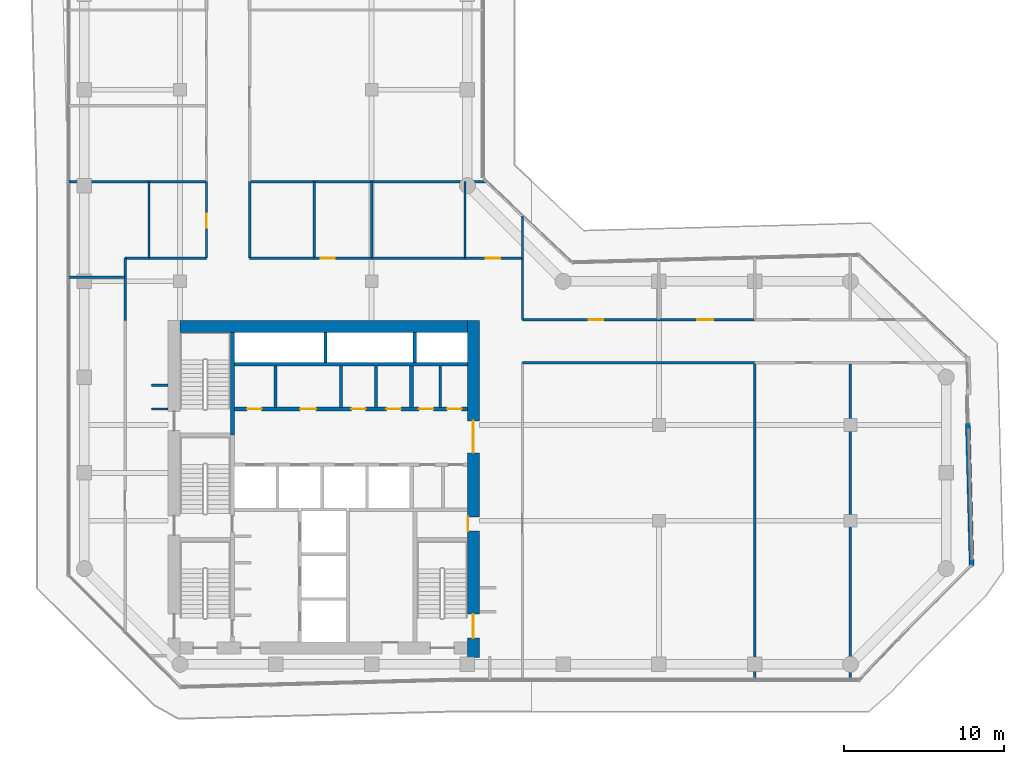
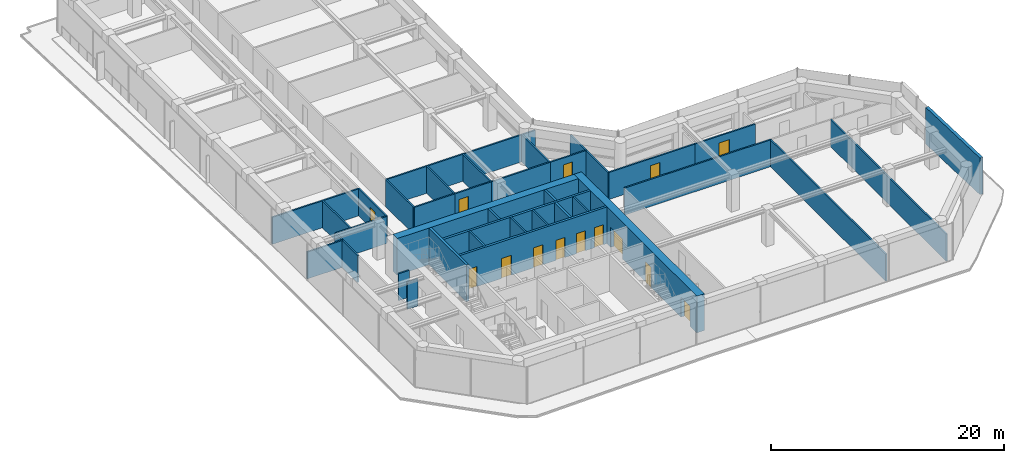
# One storey, part 19 of 23: 37 walls, 14 doors, 14 openings.
"""IFC4 building model written with IfcOpenShell, lengths in metres."""

from ifc_helpers import new_model, si_unit, direction, frame, frame_2d, origin, place, context, subcontext, project, spatial, rectangle, extrude, material, layer, layer_set, type_object, element, fill, save


model = new_model("IFC4")

# Units and contexts
model_context = context("Model", 3, precision=1e-05, world=origin(), true_north=direction((0.0, 1.0)))
body_context = subcontext(model_context, "Body", "Model", "MODEL_VIEW")
ifc_project = project(units=[si_unit("LENGTHUNIT", "METRE"), si_unit("AREAUNIT", "SQUARE_METRE"), si_unit("VOLUMEUNIT", "CUBIC_METRE"), si_unit("PLANEANGLEUNIT", "RADIAN"), si_unit("MASSUNIT", "GRAM", prefix="KILO")], contexts=[model_context])

# Site, building, storey
site_placement = place(None, origin())
site = spatial("IfcSite", under=ifc_project, at=site_placement, CompositionType="ELEMENT")
building_placement = place(site_placement, origin())
building = spatial("IfcBuilding", under=site, at=building_placement, Name="Welwitschia Terrace Campus", CompositionType="ELEMENT")
storey_placement = place(building_placement, frame((0.0, 0.0, 104.60009765625)))
storey = spatial("IfcBuildingStorey", under=building, at=storey_placement, Name="L23", CompositionType="ELEMENT", Elevation=104.60009765625)

# Walls
ifc_material_1 = material(Name="Concrete C32/40", Category="concrete")
ifc_layer_1 = layer(ifc_material_1, 0.175048828125)
ifc_layer_set_1 = layer_set([ifc_layer_1], Name="Concrete C32/40")
wall_type_1 = type_object("IfcWallType", Name="Core partition 175 Concrete C32/40", PredefinedType="PARTITIONING", material=ifc_layer_set_1)
for number, where, z_axis, x_axis, name in (
    (1, (11.97509765625, 20.10009765625, 0.0), (0.0, 0.0, 1.0), (0.0, 1.0, 0.0), "Core partition"),
    (2, (16.074951171875, 20.10009765625, 0.0), (0.0, 0.0, 1.0), (0.0, 1.0, 0.0), "Core partition"),
    (3, (18.27490234375, 20.10009765625, 0.0), (0.0, 0.0, 1.0), (0.0, 1.0, 0.0), "Core partition"),
    (4, (22.300048828125, 20.10009765625, 0.0), (0.0, 0.0, 1.0), (0.0, 1.0, 0.0), "Core partition"),
):
    element("IfcWall", number, at=place(storey_placement, frame(where, z_axis=z_axis, x_axis=x_axis)), inside=storey, type_object=wall_type_1, Name=name, PredefinedType="PARTITIONING", context=body_context, shape_type="SweptSolid", body=[
        extrude(rectangle(XDim=2.599853515625, YDim=0.175048828125, at=frame_2d((1.2998046875, 0.0))), origin(), (0.0, 0.0, 1.0), 3.849853515625),
    ])

# Wall, openings, doors
ifc_material_2 = material(Name="Concrete C32/40", Category="concrete")
ifc_layer_2 = layer(ifc_material_2, 0.22509765625)
ifc_layer_set_2 = layer_set([ifc_layer_2], Name="Concrete C32/40")
wall_type_2 = type_object("IfcWallType", Name="Core partition 225 Concrete C32/40", PredefinedType="PARTITIONING", material=ifc_layer_set_2)
wall_1_placement = place(storey_placement, frame((24.0, 20.0, 0.0), z_axis=(0.0, 0.0, 1.0), x_axis=(-1.0, 0.0, 0.0)))
wall_1 = element("IfcWall", 5, at=wall_1_placement, inside=storey, type_object=wall_type_2, Name="Core partition", PredefinedType="PARTITIONING", context=body_context, shape_type="SweptSolid", body=[
    extrude(rectangle(XDim=14.60009765625, YDim=0.22509765625, at=frame_2d((7.300048828125, 0.0))), origin(), (0.0, 0.0, 1.0), 3.849853515625),
])
opening_1_placement = place(wall_1_placement, frame((12.89990234375, 0.0, 0.0)))
opening_1 = element("IfcOpeningElement", 6, at=opening_1_placement, cuts=wall_1, Name="Opening DR09", PredefinedType="OPENING", context=body_context, shape_type="SweptSolid", body=[
    extrude(rectangle(XDim=0.89990234375, YDim=2.10009765625, at=frame_2d((0.449951171875, 1.050048828125))), frame((0.0, 0.12255859375, 0.0), z_axis=(0.0, -1.0, 0.0), x_axis=(1.0, 0.0, 0.0)), (0.0, 0.0, 1.0), 0.2451171875),
])
opening_2_placement = place(wall_1_placement, frame((9.47509765625, 0.0, 0.0)))
opening_2 = element("IfcOpeningElement", 7, at=opening_2_placement, cuts=wall_1, Name="Opening DR10", PredefinedType="OPENING", context=body_context, shape_type="SweptSolid", body=[
    extrude(rectangle(XDim=1.0, YDim=2.10009765625, at=frame_2d((0.5, 1.050048828125))), frame((0.0, 0.12255859375, 0.0), z_axis=(0.0, -1.0, 0.0), x_axis=(1.0, 0.0, 0.0)), (0.0, 0.0, 1.0), 0.2451171875),
])
opening_3_placement = place(wall_1_placement, frame((6.375, 0.0, 0.0)))
opening_3 = element("IfcOpeningElement", 8, at=opening_3_placement, cuts=wall_1, Name="Opening DR09", PredefinedType="OPENING", context=body_context, shape_type="SweptSolid", body=[
    extrude(rectangle(XDim=0.89990234375, YDim=2.10009765625, at=frame_2d((0.449951171875, 1.050048828125))), frame((0.0, 0.12255859375, 0.0), z_axis=(0.0, -1.0, 0.0), x_axis=(1.0, 0.0, 0.0)), (0.0, 0.0, 1.0), 0.2451171875),
])
opening_4_placement = place(wall_1_placement, frame((4.175048828125, 0.0, 0.0)))
opening_4 = element("IfcOpeningElement", 9, at=opening_4_placement, cuts=wall_1, Name="Opening DR09", PredefinedType="OPENING", context=body_context, shape_type="SweptSolid", body=[
    extrude(rectangle(XDim=0.89990234375, YDim=2.10009765625, at=frame_2d((0.449951171875, 1.050048828125))), frame((0.0, 0.12255859375, 0.0), z_axis=(0.0, -1.0, 0.0), x_axis=(1.0, 0.0, 0.0)), (0.0, 0.0, 1.0), 0.2451171875),
])
opening_5_placement = place(wall_1_placement, frame((2.137451171875, 0.0, 0.0)))
opening_5 = element("IfcOpeningElement", 10, at=opening_5_placement, cuts=wall_1, Name="Opening DR09", PredefinedType="OPENING", context=body_context, shape_type="SweptSolid", body=[
    extrude(rectangle(XDim=0.89990234375, YDim=2.10009765625, at=frame_2d((0.449951171875, 1.050048828125))), frame((0.0, 0.12255859375, 0.0), z_axis=(0.0, -1.0, 0.0), x_axis=(1.0, 0.0, 0.0)), (0.0, 0.0, 1.0), 0.2451171875),
])
opening_6_placement = place(wall_1_placement, frame((0.362548828125, 0.0, 0.0)))
opening_6 = element("IfcOpeningElement", 11, at=opening_6_placement, cuts=wall_1, Name="Opening DR09", PredefinedType="OPENING", context=body_context, shape_type="SweptSolid", body=[
    extrude(rectangle(XDim=0.89990234375, YDim=2.10009765625, at=frame_2d((0.449951171875, 1.050048828125))), frame((0.0, 0.12255859375, 0.0), z_axis=(0.0, -1.0, 0.0), x_axis=(1.0, 0.0, 0.0)), (0.0, 0.0, 1.0), 0.2451171875),
])
ifc_material_3 = material(Name="Steel S275", Category="steel")
door_type_1 = type_object("IfcDoorType", Name="Core door DR09", OperationType="SINGLE_SWING_LEFT", PredefinedType="DOOR", material=ifc_material_3)
door_1_placement = place(opening_1_placement, origin())
door_1 = element("IfcDoor", 12, at=door_1_placement, inside=storey, type_object=door_type_1, Name="Door BAYH1-D", OperationType="SINGLE_SWING_RIGHT", OverallHeight=2.10009765625, OverallWidth=0.89990234375, PredefinedType="DOOR", context=body_context, shape_type="SweptSolid", body=[
    extrude(rectangle(XDim=0.89990234375, YDim=2.10009765625, at=frame_2d((0.449951171875, 1.050048828125))), frame((0.0, 0.02490234375, 0.0), z_axis=(0.0, -1.0, 0.0), x_axis=(1.0, 0.0, 0.0)), (0.0, 0.0, 1.0), 0.050048828125),
])
fill(opening_1, door_1)
door_2_placement = place(opening_3_placement, origin())
door_2 = element("IfcDoor", 13, at=door_2_placement, inside=storey, type_object=door_type_1, Name="Door BAYH3-D", OperationType="SINGLE_SWING_LEFT", OverallHeight=2.10009765625, OverallWidth=0.89990234375, PredefinedType="DOOR", context=body_context, shape_type="SweptSolid", body=[
    extrude(rectangle(XDim=0.89990234375, YDim=2.10009765625, at=frame_2d((0.449951171875, 1.050048828125))), frame((0.0, 0.02490234375, 0.0), z_axis=(0.0, -1.0, 0.0), x_axis=(1.0, 0.0, 0.0)), (0.0, 0.0, 1.0), 0.050048828125),
])
fill(opening_3, door_2)
door_3_placement = place(opening_4_placement, origin())
door_3 = element("IfcDoor", 14, at=door_3_placement, inside=storey, type_object=door_type_1, Name="Door BAYH4-D", OperationType="SINGLE_SWING_LEFT", OverallHeight=2.10009765625, OverallWidth=0.89990234375, PredefinedType="DOOR", context=body_context, shape_type="SweptSolid", body=[
    extrude(rectangle(XDim=0.89990234375, YDim=2.10009765625, at=frame_2d((0.449951171875, 1.050048828125))), frame((0.0, 0.02490234375, 0.0), z_axis=(0.0, -1.0, 0.0), x_axis=(1.0, 0.0, 0.0)), (0.0, 0.0, 1.0), 0.050048828125),
])
fill(opening_4, door_3)
door_4_placement = place(opening_5_placement, origin())
door_4 = element("IfcDoor", 15, at=door_4_placement, inside=storey, type_object=door_type_1, Name="Door EH1-D", OperationType="SINGLE_SWING_LEFT", OverallHeight=2.10009765625, OverallWidth=0.89990234375, PredefinedType="DOOR", context=body_context, shape_type="SweptSolid", body=[
    extrude(rectangle(XDim=0.89990234375, YDim=2.10009765625, at=frame_2d((0.449951171875, 1.050048828125))), frame((0.0, 0.02490234375, 0.0), z_axis=(0.0, -1.0, 0.0), x_axis=(1.0, 0.0, 0.0)), (0.0, 0.0, 1.0), 0.050048828125),
])
fill(opening_5, door_4)
door_5_placement = place(opening_6_placement, origin())
door_5 = element("IfcDoor", 16, at=door_5_placement, inside=storey, type_object=door_type_1, Name="Door EH2-D", OperationType="SINGLE_SWING_LEFT", OverallHeight=2.10009765625, OverallWidth=0.89990234375, PredefinedType="DOOR", context=body_context, shape_type="SweptSolid", body=[
    extrude(rectangle(XDim=0.89990234375, YDim=2.10009765625, at=frame_2d((0.449951171875, 1.050048828125))), frame((0.0, 0.02490234375, 0.0), z_axis=(0.0, -1.0, 0.0), x_axis=(1.0, 0.0, 0.0)), (0.0, 0.0, 1.0), 0.050048828125),
])
fill(opening_6, door_5)
ifc_material_4 = material(Name="Steel S275", Category="steel")
door_type_2 = type_object("IfcDoorType", Name="Core door DR10", OperationType="SINGLE_SWING_LEFT", PredefinedType="DOOR", material=ifc_material_4)
door_6_placement = place(opening_2_placement, origin())
door_6 = element("IfcDoor", 17, at=door_6_placement, inside=storey, type_object=door_type_2, Name="Door BAYH2-D", OperationType="SINGLE_SWING_RIGHT", OverallHeight=2.10009765625, OverallWidth=1.0, PredefinedType="DOOR", context=body_context, shape_type="SweptSolid", body=[
    extrude(rectangle(XDim=1.0, YDim=2.10009765625, at=frame_2d((0.5, 1.050048828125))), frame((0.0, 0.02490234375, 0.0), z_axis=(0.0, -1.0, 0.0), x_axis=(1.0, 0.0, 0.0)), (0.0, 0.0, 1.0), 0.050048828125),
])
fill(opening_2, door_6)

# Walls
wall_2_placement = place(storey_placement, frame((9.39990234375, 22.800048828125, 0.0), z_axis=(0.0, 0.0, 1.0), x_axis=(1.0, 0.0, 0.0)))
element("IfcWall", 18, at=wall_2_placement, inside=storey, type_object=wall_type_2, Name="Shaft wall", PredefinedType="PARTITIONING", context=body_context, shape_type="SweptSolid", body=[
    extrude(rectangle(XDim=14.60009765625, YDim=0.22509765625, at=frame_2d((7.300048828125, 0.0))), origin(), (0.0, 0.0, 1.0), 3.849853515625),
])
wall_3_placement = place(storey_placement, frame((20.5, 20.10009765625, 0.0), z_axis=(0.0, 0.0, 1.0), x_axis=(0.0, 1.0, 0.0)))
element("IfcWall", 19, at=wall_3_placement, inside=storey, type_object=wall_type_2, Name="Core partition", PredefinedType="PARTITIONING", context=body_context, shape_type="SweptSolid", body=[
    extrude(rectangle(XDim=2.599853515625, YDim=0.22509765625, at=frame_2d((1.2998046875, 0.0))), origin(), (0.0, 0.0, 1.0), 3.849853515625),
])
ifc_material_5 = material(Name="Concrete C50/60", Category="concrete")
ifc_layer_3 = layer(ifc_material_5, 0.199951171875)
ifc_layer_set_3 = layer_set([ifc_layer_3], Name="Concrete C50/60")
wall_type_3 = type_object("IfcWallType", Name="Core wall 200 Concrete C50/60", PredefinedType="SHEAR", material=ifc_layer_set_3)
for number, where, z_axis, x_axis, name in (
    (20, (15.10009765625, 22.89990234375, 0.0), (0.0, 0.0, 1.0), (0.0, 1.0, 0.0), "Core wall"),
    (21, (20.699951171875, 22.89990234375, 0.0), (0.0, 0.0, 1.0), (0.0, 1.0, 0.0), "Core wall"),
):
    element("IfcWall", number, at=place(storey_placement, frame(where, z_axis=z_axis, x_axis=x_axis)), inside=storey, type_object=wall_type_3, Name=name, PredefinedType="SHEAR", context=body_context, shape_type="SweptSolid", body=[
        extrude(rectangle(XDim=1.900146484375, YDim=0.199951171875, at=frame_2d((0.9501953125, 0.0))), origin(), (0.0, 0.0, 1.0), 3.849853515625),
    ])
ifc_material_6 = material(Name="Concrete C50/60", Category="concrete")
ifc_layer_4 = layer(ifc_material_6, 0.25)
ifc_layer_set_4 = layer_set([ifc_layer_4], Name="Concrete C50/60")
wall_type_4 = type_object("IfcWallType", Name="Core wall 250 Concrete C50/60", PredefinedType="SHEAR", material=ifc_layer_set_4)
wall_4_placement = place(storey_placement, frame((9.27490234375, 18.375, 0.0), z_axis=(0.0, 0.0, 1.0), x_axis=(0.0, 1.0, 0.0)))
element("IfcWall", 22, at=wall_4_placement, inside=storey, type_object=wall_type_4, Name="Core wall", PredefinedType="SHEAR", context=body_context, shape_type="SweptSolid", body=[
    extrude(rectangle(XDim=6.425048828125, YDim=0.25, at=frame_2d((3.21240234375, 0.0))), origin(), (0.0, 0.0, 1.0), 3.849853515625),
])

# Wall, openings, doors
ifc_material_7 = material(Name="Concrete C70/85", Category="concrete")
ifc_layer_5 = layer(ifc_material_7, 0.75)
ifc_layer_set_5 = layer_set([ifc_layer_5], Name="Concrete C70/85")
wall_type_5 = type_object("IfcWallType", Name="Core wall 750 Concrete C70/85", PredefinedType="SHEAR", material=ifc_layer_set_5)
wall_5_placement = place(storey_placement, frame((24.375, 25.550048828125, 0.0), z_axis=(0.0, 0.0, 1.0), x_axis=(0.0, -1.0, 0.0)))
wall_5 = element("IfcWall", 23, at=wall_5_placement, inside=storey, type_object=wall_type_5, Name="Core outer wall", PredefinedType="SHEAR", context=body_context, shape_type="SweptSolid", body=[
    extrude(rectangle(XDim=21.130126953125, YDim=0.75, at=frame_2d((10.56494140625, 0.0))), origin(), (0.0, 0.0, 1.0), 3.849853515625),
])
opening_7_placement = place(wall_5_placement, frame((18.39990234375, 0.0, 0.0)))
opening_7 = element("IfcOpeningElement", 24, at=opening_7_placement, cuts=wall_5, Name="Opening DS15", PredefinedType="OPENING", context=body_context, shape_type="SweptSolid", body=[
    extrude(rectangle(XDim=1.5, YDim=2.10009765625, at=frame_2d((0.75, 1.050048828125))), frame((0.0, 0.385009765625, 0.0), z_axis=(0.0, -1.0, 0.0), x_axis=(1.0, 0.0, 0.0)), (0.0, 0.0, 1.0), 0.77001953125),
])
opening_8_placement = place(wall_5_placement, frame((12.300048828125, 0.0, 0.0)))
opening_8 = element("IfcOpeningElement", 25, at=opening_8_placement, cuts=wall_5, Name="Opening DR09", PredefinedType="OPENING", context=body_context, shape_type="SweptSolid", body=[
    extrude(rectangle(XDim=0.89990234375, YDim=2.10009765625, at=frame_2d((0.449951171875, 1.050048828125))), frame((0.0, 0.385009765625, 0.0), z_axis=(0.0, -1.0, 0.0), x_axis=(1.0, 0.0, 0.0)), (0.0, 0.0, 1.0), 0.77001953125),
])
opening_9_placement = place(wall_5_placement, frame((6.300048828125, 0.0, 0.0)))
opening_9 = element("IfcOpeningElement", 26, at=opening_9_placement, cuts=wall_5, Name="Opening DL20", PredefinedType="OPENING", context=body_context, shape_type="SweptSolid", body=[
    extrude(rectangle(XDim=2.0, YDim=2.10009765625, at=frame_2d((1.0, 1.050048828125))), frame((0.0, 0.385009765625, 0.0), z_axis=(0.0, -1.0, 0.0), x_axis=(1.0, 0.0, 0.0)), (0.0, 0.0, 1.0), 0.77001953125),
])
ifc_material_8 = material(Name="Steel S275", Category="steel")
door_type_3 = type_object("IfcDoorType", Name="Core door DL20", OperationType="DOUBLE_DOOR_SINGLE_SWING", PredefinedType="DOOR", material=ifc_material_8)
door_7_placement = place(opening_9_placement, origin())
door_7 = element("IfcDoor", 27, at=door_7_placement, inside=storey, type_object=door_type_3, Name="Door LOBBY-out", OperationType="DOUBLE_DOOR_SINGLE_SWING", OverallHeight=2.10009765625, OverallWidth=2.0, PredefinedType="DOOR", context=body_context, shape_type="SweptSolid", body=[
    extrude(rectangle(XDim=2.0, YDim=2.10009765625, at=frame_2d((1.0, 1.050048828125))), frame((0.0, 0.02490234375, 0.0), z_axis=(0.0, -1.0, 0.0), x_axis=(1.0, 0.0, 0.0)), (0.0, 0.0, 1.0), 0.050048828125),
])
fill(opening_9, door_7)
door_8_placement = place(opening_8_placement, origin())
door_8 = element("IfcDoor", 28, at=door_8_placement, inside=storey, type_object=door_type_1, Name="Door F1B-out", OperationType="SINGLE_SWING_RIGHT", OverallHeight=2.10009765625, OverallWidth=0.89990234375, PredefinedType="DOOR", context=body_context, shape_type="SweptSolid", body=[
    extrude(rectangle(XDim=0.89990234375, YDim=2.10009765625, at=frame_2d((0.449951171875, 1.050048828125))), frame((0.0, -0.31494140625, 0.0), z_axis=(0.0, -1.0, 0.0), x_axis=(1.0, 0.0, 0.0)), (0.0, 0.0, 1.0), 0.050048828125),
])
fill(opening_8, door_8)
ifc_material_9 = material(Name="Steel S275", Category="steel")
door_type_4 = type_object("IfcDoorType", Name="Core door DS15", OperationType="DOUBLE_DOOR_SINGLE_SWING", PredefinedType="DOOR", material=ifc_material_9)
door_9_placement = place(opening_7_placement, origin())
door_9 = element("IfcDoor", 29, at=door_9_placement, inside=storey, type_object=door_type_4, Name="Door S2-out", OperationType="DOUBLE_DOOR_SINGLE_SWING", OverallHeight=2.10009765625, OverallWidth=1.5, PredefinedType="DOOR", context=body_context, shape_type="SweptSolid", body=[
    extrude(rectangle(XDim=1.5, YDim=2.10009765625, at=frame_2d((0.75, 1.050048828125))), frame((0.0, 0.02490234375, 0.0), z_axis=(0.0, -1.0, 0.0), x_axis=(1.0, 0.0, 0.0)), (0.0, 0.0, 1.0), 0.050048828125),
])
fill(opening_7, door_9)

# Walls
wall_6_placement = place(storey_placement, frame((6.0, 25.175048828125, 0.0), z_axis=(0.0, 0.0, 1.0), x_axis=(1.0, 0.0, 0.0)))
element("IfcWall", 30, at=wall_6_placement, inside=storey, type_object=wall_type_5, Name="Core outer wall", PredefinedType="SHEAR", context=body_context, shape_type="SweptSolid", body=[
    extrude(rectangle(XDim=18.0, YDim=0.75, at=frame_2d((9.0, 0.0))), origin(), (0.0, 0.0, 1.0), 3.849853515625),
])
ifc_material_10 = material(Name="Gypsum board on steel studs", Category="steel")
ifc_layer_6 = layer(ifc_material_10, 0.14990234375)
ifc_layer_set_6 = layer_set([ifc_layer_6], Name="Gypsum board on steel studs")
wall_type_6 = type_object("IfcWallType", Name="Corridor partition 150 EI 30", PredefinedType="PARTITIONING", material=ifc_layer_set_6)
wall_7_placement = place(storey_placement, frame((-0.97998046875, 28.25, 0.0), z_axis=(0.0, 0.0, 1.0), x_axis=(1.0, 0.0, 0.0)))
element("IfcWall", 31, at=wall_7_placement, inside=storey, type_object=wall_type_6, Name="Partition", PredefinedType="PARTITIONING", context=body_context, shape_type="SweptSolid", body=[
    extrude(rectangle(XDim=3.530029296875, YDim=0.14990234375, at=frame_2d((1.76513671875, 0.0))), origin(), (0.0, 0.0, 1.0), 2.829833984375),
])
wall_8_placement = place(storey_placement, frame((-0.965087890625, 34.25, 0.0), z_axis=(0.0, 0.0, 1.0), x_axis=(1.0, 0.0, 0.0)))
element("IfcWall", 32, at=wall_8_placement, inside=storey, type_object=wall_type_6, Name="Partition", PredefinedType="PARTITIONING", context=body_context, shape_type="SweptSolid", body=[
    extrude(rectangle(XDim=8.614990234375, YDim=0.14990234375, at=frame_2d((4.3076171875, 0.0))), origin(), (0.0, 0.0, 1.0), 2.829833984375),
])
wall_9_placement = place(storey_placement, frame((2.550048828125, 25.550048828125, 0.0), z_axis=(0.0, 0.0, 1.0), x_axis=(0.0, 1.0, 0.0)))
element("IfcWall", 33, at=wall_9_placement, inside=storey, type_object=wall_type_6, Name="Partition", PredefinedType="PARTITIONING", context=body_context, shape_type="SweptSolid", body=[
    extrude(rectangle(XDim=3.89990234375, YDim=0.14990234375, at=frame_2d((1.949951171875, 0.0))), origin(), (0.0, 0.0, 1.0), 2.829833984375),
])
wall_10_placement = place(storey_placement, frame((2.550048828125, 29.449951171875, 0.0), z_axis=(0.0, 0.0, 1.0), x_axis=(1.0, 0.0, 0.0)))
element("IfcWall", 34, at=wall_10_placement, inside=storey, type_object=wall_type_6, Name="Partition", PredefinedType="PARTITIONING", context=body_context, shape_type="SweptSolid", body=[
    extrude(rectangle(XDim=5.099853515625, YDim=0.14990234375, at=frame_2d((2.5498046875, 0.0))), origin(), (0.0, 0.0, 1.0), 2.829833984375),
])
wall_11_placement = place(storey_placement, frame((4.050048828125, 29.449951171875, 0.0), z_axis=(0.0, 0.0, 1.0), x_axis=(0.0, 1.0, 0.0)))
element("IfcWall", 35, at=wall_11_placement, inside=storey, type_object=wall_type_6, Name="Partition", PredefinedType="PARTITIONING", context=body_context, shape_type="SweptSolid", body=[
    extrude(rectangle(XDim=4.800048828125, YDim=0.14990234375, at=frame_2d((2.39990234375, 0.0))), origin(), (0.0, 0.0, 1.0), 2.829833984375),
])
for number, where, z_axis, x_axis, name in (
    (36, (4.199951171875, 20.0, 0.0), (0.0, 0.0, 1.0), (1.0, 0.0, 0.0), "Partition"),
    (37, (4.199951171875, 21.5, 0.0), (0.0, 0.0, 1.0), (1.0, 0.0, 0.0), "Partition"),
):
    element("IfcWall", number, at=place(storey_placement, frame(where, z_axis=z_axis, x_axis=x_axis)), inside=storey, type_object=wall_type_6, Name=name, PredefinedType="PARTITIONING", context=body_context, shape_type="SweptSolid", body=[
        extrude(rectangle(XDim=1.050048828125, YDim=0.14990234375, at=frame_2d((0.52490234375, 0.0))), origin(), (0.0, 0.0, 1.0), 2.829833984375),
    ])

# Wall, opening, door
wall_12_placement = place(storey_placement, frame((7.64990234375, 29.449951171875, 0.0), z_axis=(0.0, 0.0, 1.0), x_axis=(0.0, 1.0, 0.0)))
wall_12 = element("IfcWall", 38, at=wall_12_placement, inside=storey, type_object=wall_type_6, Name="Partition", PredefinedType="PARTITIONING", context=body_context, shape_type="SweptSolid", body=[
    extrude(rectangle(XDim=4.800048828125, YDim=0.14990234375, at=frame_2d((2.39990234375, 0.0))), origin(), (0.0, 0.0, 1.0), 2.829833984375),
])
opening_10_placement = place(wall_12_placement, frame((1.89990234375, 0.0, 0.0)))
opening_10 = element("IfcOpeningElement", 39, at=opening_10_placement, cuts=wall_12, Name="Opening DI09", PredefinedType="OPENING", context=body_context, shape_type="SweptSolid", body=[
    extrude(rectangle(XDim=0.89990234375, YDim=2.10009765625, at=frame_2d((0.449951171875, 1.050048828125))), frame((0.0, 0.0849609375, 0.0), z_axis=(0.0, -1.0, 0.0), x_axis=(1.0, 0.0, 0.0)), (0.0, 0.0, 1.0), 0.169921875),
])
ifc_material_11 = material(Name="Timber veneered door", Category="wood")
door_type_5 = type_object("IfcDoorType", Name="Interior door DI09", OperationType="NOTDEFINED", PredefinedType="DOOR", material=ifc_material_11)
door_10_placement = place(opening_10_placement, origin())
door_10 = element("IfcDoor", 40, at=door_10_placement, inside=storey, type_object=door_type_5, Name="Door L23 501", OperationType="SINGLE_SWING_RIGHT", OverallHeight=2.10009765625, OverallWidth=0.89990234375, PredefinedType="DOOR", context=body_context, shape_type="SweptSolid", body=[
    extrude(rectangle(XDim=0.89990234375, YDim=2.10009765625, at=frame_2d((0.449951171875, 1.050048828125))), frame((0.0, 0.02490234375, 0.0), z_axis=(0.0, -1.0, 0.0), x_axis=(1.0, 0.0, 0.0)), (0.0, 0.0, 1.0), 0.050048828125),
])
fill(opening_10, door_10)

# Walls
wall_13_placement = place(storey_placement, frame((10.35009765625, 29.449951171875, 0.0), z_axis=(0.0, 0.0, 1.0), x_axis=(0.0, 1.0, 0.0)))
element("IfcWall", 41, at=wall_13_placement, inside=storey, type_object=wall_type_6, Name="Partition", PredefinedType="PARTITIONING", context=body_context, shape_type="SweptSolid", body=[
    extrude(rectangle(XDim=4.800048828125, YDim=0.14990234375, at=frame_2d((2.39990234375, 0.0))), origin(), (0.0, 0.0, 1.0), 2.829833984375),
])
wall_14_placement = place(storey_placement, frame((10.35009765625, 29.449951171875, 0.0), z_axis=(0.0, 0.0, 1.0), x_axis=(1.0, 0.0, 0.0)))
element("IfcWall", 42, at=wall_14_placement, inside=storey, type_object=wall_type_6, Name="Partition", PredefinedType="PARTITIONING", context=body_context, shape_type="SweptSolid", body=[
    extrude(rectangle(XDim=4.0498046875, YDim=0.14990234375, at=frame_2d((2.02490234375, 0.0))), origin(), (0.0, 0.0, 1.0), 2.829833984375),
])
wall_15_placement = place(storey_placement, frame((10.35009765625, 34.25, 0.0), z_axis=(0.0, 0.0, 1.0), x_axis=(1.0, 0.0, 0.0)))
element("IfcWall", 43, at=wall_15_placement, inside=storey, type_object=wall_type_6, Name="Partition", PredefinedType="PARTITIONING", context=body_context, shape_type="SweptSolid", body=[
    extrude(rectangle(XDim=14.81982421875, YDim=0.14990234375, at=frame_2d((7.409912109375, 0.0))), origin(), (0.0, 0.0, 1.0), 2.829833984375),
])
wall_16_placement = place(storey_placement, frame((14.39990234375, 29.449951171875, 0.0), z_axis=(0.0, 0.0, 1.0), x_axis=(0.0, 1.0, 0.0)))
element("IfcWall", 44, at=wall_16_placement, inside=storey, type_object=wall_type_6, Name="Partition", PredefinedType="PARTITIONING", context=body_context, shape_type="SweptSolid", body=[
    extrude(rectangle(XDim=4.800048828125, YDim=0.14990234375, at=frame_2d((2.39990234375, 0.0))), origin(), (0.0, 0.0, 1.0), 2.829833984375),
])

# Wall, opening, door
wall_17_placement = place(storey_placement, frame((14.39990234375, 29.449951171875, 0.0), z_axis=(0.0, 0.0, 1.0), x_axis=(1.0, 0.0, 0.0)))
wall_17 = element("IfcWall", 45, at=wall_17_placement, inside=storey, type_object=wall_type_6, Name="Partition", PredefinedType="PARTITIONING", context=body_context, shape_type="SweptSolid", body=[
    extrude(rectangle(XDim=3.60009765625, YDim=0.14990234375, at=frame_2d((1.800048828125, 0.0))), origin(), (0.0, 0.0, 1.0), 2.829833984375),
])
opening_11_placement = place(wall_17_placement, frame((0.39990234375, 0.0, 0.0)))
opening_11 = element("IfcOpeningElement", 46, at=opening_11_placement, cuts=wall_17, Name="Opening DI09", PredefinedType="OPENING", context=body_context, shape_type="SweptSolid", body=[
    extrude(rectangle(XDim=0.89990234375, YDim=2.10009765625, at=frame_2d((0.449951171875, 1.050048828125))), frame((0.0, 0.0849609375, 0.0), z_axis=(0.0, -1.0, 0.0), x_axis=(1.0, 0.0, 0.0)), (0.0, 0.0, 1.0), 0.169921875),
])
door_11_placement = place(opening_11_placement, origin())
door_11 = element("IfcDoor", 47, at=door_11_placement, inside=storey, type_object=door_type_5, Name="Door L23 512", OperationType="SINGLE_SWING_LEFT", OverallHeight=2.10009765625, OverallWidth=0.89990234375, PredefinedType="DOOR", context=body_context, shape_type="SweptSolid", body=[
    extrude(rectangle(XDim=0.89990234375, YDim=2.10009765625, at=frame_2d((0.449951171875, 1.050048828125))), frame((0.0, 0.02490234375, 0.0), z_axis=(0.0, -1.0, 0.0), x_axis=(1.0, 0.0, 0.0)), (0.0, 0.0, 1.0), 0.050048828125),
])
fill(opening_11, door_11)

# Walls
wall_18_placement = place(storey_placement, frame((18.0, 29.449951171875, 0.0), z_axis=(0.0, 0.0, 1.0), x_axis=(0.0, 1.0, 0.0)))
element("IfcWall", 48, at=wall_18_placement, inside=storey, type_object=wall_type_6, Name="Partition", PredefinedType="PARTITIONING", context=body_context, shape_type="SweptSolid", body=[
    extrude(rectangle(XDim=4.800048828125, YDim=0.14990234375, at=frame_2d((2.39990234375, 0.0))), origin(), (0.0, 0.0, 1.0), 2.829833984375),
])
wall_19_placement = place(storey_placement, frame((18.0, 29.449951171875, 0.0), z_axis=(0.0, 0.0, 1.0), x_axis=(1.0, 0.0, 0.0)))
element("IfcWall", 49, at=wall_19_placement, inside=storey, type_object=wall_type_6, Name="Partition", PredefinedType="PARTITIONING", context=body_context, shape_type="SweptSolid", body=[
    extrude(rectangle(XDim=5.85009765625, YDim=0.14990234375, at=frame_2d((2.925048828125, 0.0))), origin(), (0.0, 0.0, 1.0), 2.829833984375),
])
wall_20_placement = place(storey_placement, frame((23.85009765625, 29.449951171875, 0.0), z_axis=(0.0, 0.0, 1.0), x_axis=(0.0, 1.0, 0.0)))
element("IfcWall", 50, at=wall_20_placement, inside=storey, type_object=wall_type_6, Name="Partition", PredefinedType="PARTITIONING", context=body_context, shape_type="SweptSolid", body=[
    extrude(rectangle(XDim=4.800048828125, YDim=0.14990234375, at=frame_2d((2.39990234375, 0.0))), origin(), (0.0, 0.0, 1.0), 2.829833984375),
])

# Wall, opening, door
wall_21_placement = place(storey_placement, frame((23.85009765625, 29.449951171875, 0.0), z_axis=(0.0, 0.0, 1.0), x_axis=(1.0, 0.0, 0.0)))
wall_21 = element("IfcWall", 51, at=wall_21_placement, inside=storey, type_object=wall_type_6, Name="Partition", PredefinedType="PARTITIONING", context=body_context, shape_type="SweptSolid", body=[
    extrude(rectangle(XDim=3.599853515625, YDim=0.14990234375, at=frame_2d((1.7998046875, 0.0))), origin(), (0.0, 0.0, 1.0), 2.829833984375),
])
opening_12_placement = place(wall_21_placement, frame((1.300048828125, 0.0, 0.0)))
opening_12 = element("IfcOpeningElement", 52, at=opening_12_placement, cuts=wall_21, Name="Opening DI09", PredefinedType="OPENING", context=body_context, shape_type="SweptSolid", body=[
    extrude(rectangle(XDim=0.89990234375, YDim=2.10009765625, at=frame_2d((0.449951171875, 1.050048828125))), frame((0.0, 0.0849609375, 0.0), z_axis=(0.0, -1.0, 0.0), x_axis=(1.0, 0.0, 0.0)), (0.0, 0.0, 1.0), 0.169921875),
])
door_12_placement = place(opening_12_placement, origin())
door_12 = element("IfcDoor", 53, at=door_12_placement, inside=storey, type_object=door_type_5, Name="Door L23 513", OperationType="SINGLE_SWING_RIGHT", OverallHeight=2.10009765625, OverallWidth=0.89990234375, PredefinedType="DOOR", context=body_context, shape_type="SweptSolid", body=[
    extrude(rectangle(XDim=0.89990234375, YDim=2.10009765625, at=frame_2d((0.449951171875, 1.050048828125))), frame((0.0, 0.02490234375, 0.0), z_axis=(0.0, -1.0, 0.0), x_axis=(1.0, 0.0, 0.0)), (0.0, 0.0, 1.0), 0.050048828125),
])
fill(opening_12, door_12)

# Walls
wall_22_placement = place(storey_placement, frame((27.449951171875, 22.89990234375, 0.0), z_axis=(0.0, 0.0, 1.0), x_axis=(1.0, 0.0, 0.0)))
element("IfcWall", 54, at=wall_22_placement, inside=storey, type_object=wall_type_6, Name="Partition", PredefinedType="PARTITIONING", context=body_context, shape_type="SweptSolid", body=[
    extrude(rectangle(XDim=14.550048828125, YDim=0.14990234375, at=frame_2d((7.27490234375, 0.0))), origin(), (0.0, 0.0, 1.0), 2.829833984375),
])
wall_23_placement = place(storey_placement, frame((27.449951171875, 25.60009765625, 0.0), z_axis=(0.0, 0.0, 1.0), x_axis=(0.0, 1.0, 0.0)))
element("IfcWall", 55, at=wall_23_placement, inside=storey, type_object=wall_type_6, Name="Partition", PredefinedType="PARTITIONING", context=body_context, shape_type="SweptSolid", body=[
    extrude(rectangle(XDim=3.849853515625, YDim=0.14990234375, at=frame_2d((1.9248046875, 0.0))), origin(), (0.0, 0.0, 1.0), 2.829833984375),
])

# Wall, opening, door
wall_24_placement = place(storey_placement, frame((27.449951171875, 25.60009765625, 0.0), z_axis=(0.0, 0.0, 1.0), x_axis=(1.0, 0.0, 0.0)))
wall_24 = element("IfcWall", 56, at=wall_24_placement, inside=storey, type_object=wall_type_6, Name="Partition", PredefinedType="PARTITIONING", context=body_context, shape_type="SweptSolid", body=[
    extrude(rectangle(XDim=8.550048828125, YDim=0.14990234375, at=frame_2d((4.27490234375, 0.0))), origin(), (0.0, 0.0, 1.0), 2.829833984375),
])
opening_13_placement = place(wall_24_placement, frame((4.14990234375, 0.0, 0.0)))
opening_13 = element("IfcOpeningElement", 57, at=opening_13_placement, cuts=wall_24, Name="Opening DI09", PredefinedType="OPENING", context=body_context, shape_type="SweptSolid", body=[
    extrude(rectangle(XDim=0.89990234375, YDim=2.10009765625, at=frame_2d((0.449951171875, 1.050048828125))), frame((0.0, 0.0849609375, 0.0), z_axis=(0.0, -1.0, 0.0), x_axis=(1.0, 0.0, 0.0)), (0.0, 0.0, 1.0), 0.169921875),
])
door_13_placement = place(opening_13_placement, origin())
door_13 = element("IfcDoor", 58, at=door_13_placement, inside=storey, type_object=door_type_5, Name="Door L23 515", OperationType="SINGLE_SWING_RIGHT", OverallHeight=2.10009765625, OverallWidth=0.89990234375, PredefinedType="DOOR", context=body_context, shape_type="SweptSolid", body=[
    extrude(rectangle(XDim=0.89990234375, YDim=2.10009765625, at=frame_2d((0.449951171875, 1.050048828125))), frame((0.0, 0.02490234375, 0.0), z_axis=(0.0, -1.0, 0.0), x_axis=(1.0, 0.0, 0.0)), (0.0, 0.0, 1.0), 0.050048828125),
])
fill(opening_13, door_13)

# Wall
wall_25_placement = place(storey_placement, frame((27.449951171875, 29.449951171875, 0.0), z_axis=(0.0, 0.0, 1.0), x_axis=(0.0, 1.0, 0.0)))
element("IfcWall", 59, at=wall_25_placement, inside=storey, type_object=wall_type_6, Name="Partition", PredefinedType="PARTITIONING", context=body_context, shape_type="SweptSolid", body=[
    extrude(rectangle(XDim=2.64013671875, YDim=0.14990234375, at=frame_2d((1.320068359375, 0.0))), origin(), (0.0, 0.0, 1.0), 2.829833984375),
])

# Wall, opening, door
wall_26_placement = place(storey_placement, frame((36.0, 25.60009765625, 0.0), z_axis=(0.0, 0.0, 1.0), x_axis=(1.0, 0.0, 0.0)))
wall_26 = element("IfcWall", 60, at=wall_26_placement, inside=storey, type_object=wall_type_6, Name="Partition", PredefinedType="PARTITIONING", context=body_context, shape_type="SweptSolid", body=[
    extrude(rectangle(XDim=6.0, YDim=0.14990234375, at=frame_2d((3.0, 0.0))), origin(), (0.0, 0.0, 1.0), 2.829833984375),
])
opening_14_placement = place(wall_26_placement, frame((2.39990234375, 0.0, 0.0)))
opening_14 = element("IfcOpeningElement", 61, at=opening_14_placement, cuts=wall_26, Name="Opening DI10", PredefinedType="OPENING", context=body_context, shape_type="SweptSolid", body=[
    extrude(rectangle(XDim=1.0, YDim=2.10009765625, at=frame_2d((0.5, 1.050048828125))), frame((0.0, 0.0849609375, 0.0), z_axis=(0.0, -1.0, 0.0), x_axis=(1.0, 0.0, 0.0)), (0.0, 0.0, 1.0), 0.169921875),
])
ifc_material_12 = material(Name="Timber veneered door", Category="wood")
door_type_6 = type_object("IfcDoorType", Name="Interior door DI10", OperationType="NOTDEFINED", PredefinedType="DOOR", material=ifc_material_12)
door_14_placement = place(opening_14_placement, origin())
door_14 = element("IfcDoor", 62, at=door_14_placement, inside=storey, type_object=door_type_6, Name="Door L23 516", OperationType="SINGLE_SWING_LEFT", OverallHeight=2.10009765625, OverallWidth=1.0, PredefinedType="DOOR", context=body_context, shape_type="SweptSolid", body=[
    extrude(rectangle(XDim=1.0, YDim=2.10009765625, at=frame_2d((0.5, 1.050048828125))), frame((0.0, 0.02490234375, 0.0), z_axis=(0.0, -1.0, 0.0), x_axis=(1.0, 0.0, 0.0)), (0.0, 0.0, 1.0), 0.050048828125),
])
fill(opening_14, door_14)

# Walls
for number, where, z_axis, x_axis, name in (
    (63, (42.0, 3.02001953125, 0.0), (0.0, 0.0, 1.0), (0.0, 1.0, 0.0), "Partition"),
    (64, (48.0, 3.02001953125, 0.0), (0.0, 0.0, 1.0), (0.0, 1.0, 0.0), "Partition"),
):
    element("IfcWall", number, at=place(storey_placement, frame(where, z_axis=z_axis, x_axis=x_axis)), inside=storey, type_object=wall_type_6, Name=name, PredefinedType="PARTITIONING", context=body_context, shape_type="SweptSolid", body=[
        extrude(rectangle(XDim=19.8798828125, YDim=0.14990234375, at=frame_2d((9.93994140625, 0.0))), origin(), (0.0, 0.0, 1.0), 2.829833984375),
    ])
ifc_material_13 = material(Name="Concrete C40/50", Category="concrete")
ifc_layer_7 = layer(ifc_material_13, 0.300048828125)
ifc_layer_set_7 = layer_set([ifc_layer_7], Name="Concrete C40/50")
wall_type_7 = type_object("IfcWallType", Name="Mass wall 300", PredefinedType="SOLIDWALL", material=ifc_layer_set_7)
wall_27_placement = place(storey_placement, frame((55.588623046875, 10.18505859375, 0.0), z_axis=(0.0, 0.0, 1.0), x_axis=(-0.026188660455, 0.999657018214, 0.0)))
element("IfcWall", 65, at=wall_27_placement, inside=storey, type_object=wall_type_7, Name="Mass wall L23.5.0", PredefinedType="SOLIDWALL", context=body_context, shape_type="SweptSolid", body=[
    extrude(rectangle(XDim=8.921630859375, YDim=0.300048828125, at=frame_2d((4.4609375, 0.0))), origin(), (0.0, 0.0, 1.0), 3.849853515625),
])

save(model, "model.ifc")
